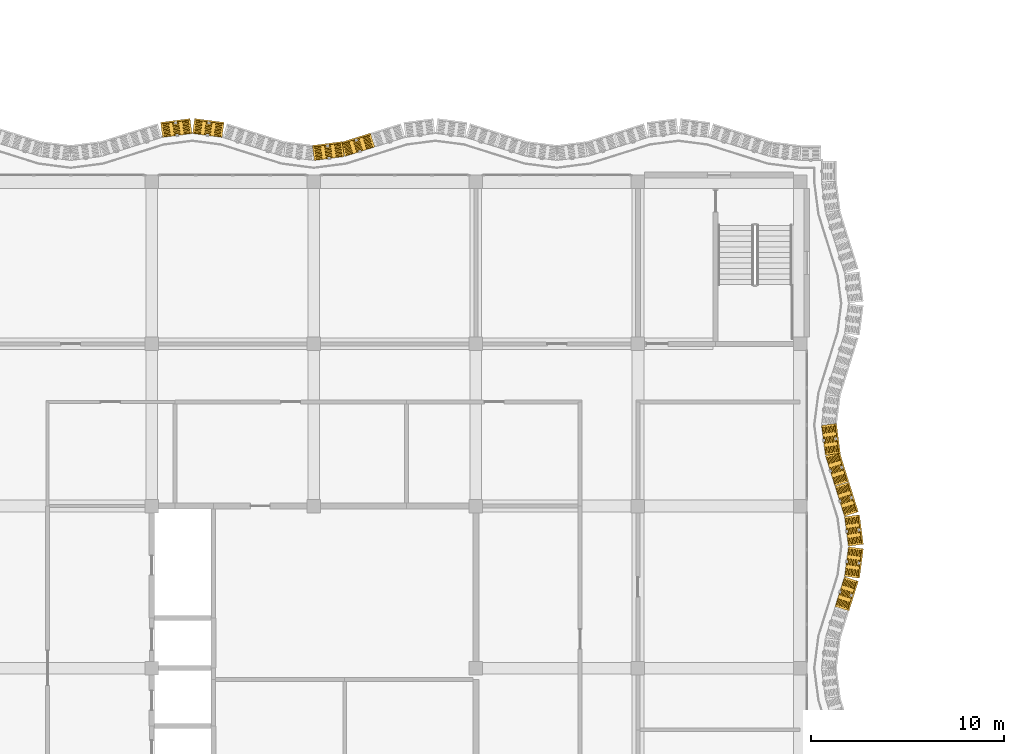
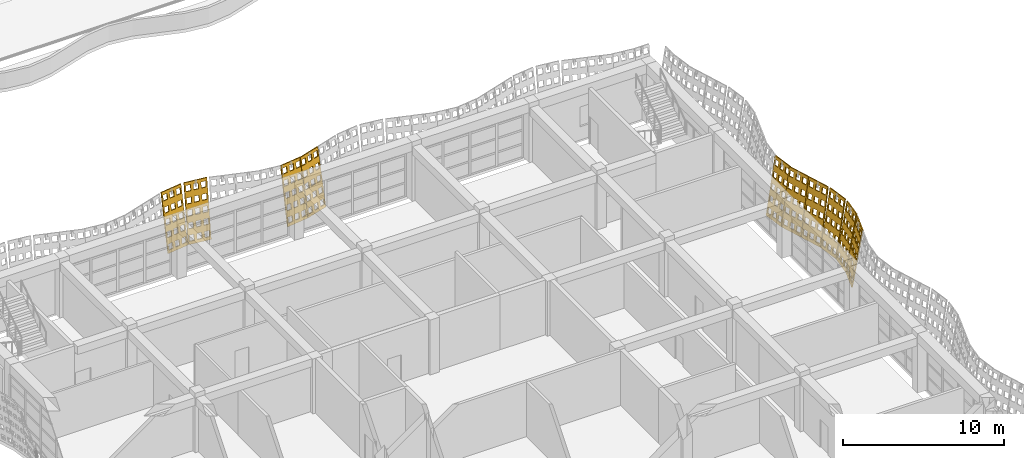
# One storey, part 160 of 163: 10 coverings.
"""IFC4 building model written with IfcOpenShell, lengths in metres."""

from ifc_helpers import new_model, si_unit, direction, frame, origin, place, context, subcontext, project, spatial, polyline, outline, extrude, material, layer, layer_set, type_object, element, save


model = new_model("IFC4")

# Units and contexts
model_context = context("Model", 3, precision=1e-05, world=origin(), true_north=direction((0.0, 1.0)))
body_context = subcontext(model_context, "Body", "Model", "MODEL_VIEW")
ifc_project = project(units=[si_unit("LENGTHUNIT", "METRE"), si_unit("AREAUNIT", "SQUARE_METRE"), si_unit("VOLUMEUNIT", "CUBIC_METRE"), si_unit("PLANEANGLEUNIT", "RADIAN"), si_unit("MASSUNIT", "GRAM", prefix="KILO")], contexts=[model_context])

# Site, building, storey
site_placement = place(None, origin())
site = spatial("IfcSite", under=ifc_project, at=site_placement, CompositionType="ELEMENT")
building_placement = place(site_placement, origin())
building = spatial("IfcBuilding", under=site, at=building_placement, Name="Rain Tree Exposition and Congress Centre", CompositionType="ELEMENT")
storey_placement = place(building_placement, frame((0.0, 0.0, 10.5)))
storey = spatial("IfcBuildingStorey", under=building, at=storey_placement, Name="L02", CompositionType="ELEMENT", Elevation=10.5)

# Coverings
ifc_material = material(Name="Perforated terracotta", Category="masonry")
ifc_layer = layer(ifc_material, 0.080078125)
ifc_layer_set = layer_set([ifc_layer], Name="Perforated terracotta")
covering_type = type_object("IfcCoveringType", Name="Terracotta screen 80", PredefinedType="CLADDING", material=ifc_layer_set)
covering_1_placement = place(storey_placement, frame((52.28759765625, 28.35009765625, 0.0), z_axis=(-0.942029390639, 0.295717964052, 0.158529217842), x_axis=(-0.29950542383, -0.954094597562, 0.0)))
element("IfcCovering", 1, at=covering_1_placement, inside=storey, type_object=covering_type, Name="wing/screen/L02/053", PredefinedType="CLADDING", context=body_context, shape_type="SweptSolid", body=[
    extrude(outline(polyline([(-1.62890625, 0.0), (-1.62890625, 4.291259765625), (-0.014892578125, 4.291259765625), (-0.014892578125, 0.0), (-1.62890625, 0.0)]), holes=[polyline([(-0.1171875, 0.221435546875), (-0.1171875, 0.63671875), (-0.45068359375, 0.63671875), (-0.45068359375, 0.221435546875), (-0.1171875, 0.221435546875)]), polyline([(-0.1171875, 1.07958984375), (-0.1171875, 1.4951171875), (-0.45068359375, 1.4951171875), (-0.45068359375, 1.07958984375), (-0.1171875, 1.07958984375)]), polyline([(-0.1171875, 1.93798828125), (-0.1171875, 2.353271484375), (-0.45068359375, 2.353271484375), (-0.45068359375, 1.93798828125), (-0.1171875, 1.93798828125)]), polyline([(-0.1171875, 2.796142578125), (-0.1171875, 3.21142578125), (-0.45068359375, 3.21142578125), (-0.45068359375, 2.796142578125), (-0.1171875, 2.796142578125)]), polyline([(-0.1171875, 3.654541015625), (-0.1171875, 4.06982421875), (-0.45068359375, 4.06982421875), (-0.45068359375, 3.654541015625), (-0.1171875, 3.654541015625)]), polyline([(-0.6552734375, 0.221435546875), (-0.6552734375, 0.63671875), (-0.98876953125, 0.63671875), (-0.98876953125, 0.221435546875), (-0.6552734375, 0.221435546875)]), polyline([(-0.6552734375, 1.07958984375), (-0.6552734375, 1.4951171875), (-0.98876953125, 1.4951171875), (-0.98876953125, 1.07958984375), (-0.6552734375, 1.07958984375)]), polyline([(-0.6552734375, 1.93798828125), (-0.6552734375, 2.353271484375), (-0.98876953125, 2.353271484375), (-0.98876953125, 1.93798828125), (-0.6552734375, 1.93798828125)]), polyline([(-0.6552734375, 2.796142578125), (-0.6552734375, 3.21142578125), (-0.98876953125, 3.21142578125), (-0.98876953125, 2.796142578125), (-0.6552734375, 2.796142578125)]), polyline([(-0.6552734375, 3.654541015625), (-0.6552734375, 4.06982421875), (-0.98876953125, 4.06982421875), (-0.98876953125, 3.654541015625), (-0.6552734375, 3.654541015625)]), polyline([(-1.193115234375, 0.221435546875), (-1.193115234375, 0.63671875), (-1.526611328125, 0.63671875), (-1.526611328125, 0.221435546875), (-1.193115234375, 0.221435546875)]), polyline([(-1.193115234375, 1.07958984375), (-1.193115234375, 1.4951171875), (-1.526611328125, 1.4951171875), (-1.526611328125, 1.07958984375), (-1.193115234375, 1.07958984375)]), polyline([(-1.193115234375, 1.93798828125), (-1.193115234375, 2.353271484375), (-1.526611328125, 2.353271484375), (-1.526611328125, 1.93798828125), (-1.193115234375, 1.93798828125)]), polyline([(-1.193115234375, 2.796142578125), (-1.193115234375, 3.21142578125), (-1.526611328125, 3.21142578125), (-1.526611328125, 2.796142578125), (-1.193115234375, 2.796142578125)]), polyline([(-1.193115234375, 3.654541015625), (-1.193115234375, 4.06982421875), (-1.526611328125, 4.06982421875), (-1.526611328125, 3.654541015625), (-1.193115234375, 3.654541015625)])]), origin(), (0.0, 0.0, 1.0), 0.080078125),
])
covering_2_placement = place(storey_placement, frame((52.78271484375, 29.925048828125, 0.0), z_axis=(-0.978036007662, 0.127967328105, 0.16452942185), x_axis=(-0.129735338481, -0.991548658387, 0.0)))
element("IfcCovering", 2, at=covering_2_placement, inside=storey, type_object=covering_type, Name="wing/screen/L02/054", PredefinedType="CLADDING", context=body_context, shape_type="SweptSolid", body=[
    extrude(outline(polyline([(-1.56298828125, 0.0), (-1.56298828125, 4.295166015625), (-0.02197265625, 4.295166015625), (-0.02197265625, 0.0), (-1.56298828125, 0.0)]), holes=[polyline([(-0.11962890625, 0.2216796875), (-0.11962890625, 0.63720703125), (-0.43798828125, 0.63720703125), (-0.43798828125, 0.2216796875), (-0.11962890625, 0.2216796875)]), polyline([(-0.11962890625, 1.080810546875), (-0.11962890625, 1.496337890625), (-0.43798828125, 1.496337890625), (-0.43798828125, 1.080810546875), (-0.11962890625, 1.080810546875)]), polyline([(-0.11962890625, 1.939697265625), (-0.11962890625, 2.35546875), (-0.43798828125, 2.35546875), (-0.43798828125, 1.939697265625), (-0.11962890625, 1.939697265625)]), polyline([(-0.11962890625, 2.798583984375), (-0.11962890625, 3.21435546875), (-0.43798828125, 3.21435546875), (-0.43798828125, 2.798583984375), (-0.11962890625, 2.798583984375)]), polyline([(-0.11962890625, 3.65771484375), (-0.11962890625, 4.073486328125), (-0.43798828125, 4.073486328125), (-0.43798828125, 3.65771484375), (-0.11962890625, 3.65771484375)]), polyline([(-0.63330078125, 0.2216796875), (-0.63330078125, 0.63720703125), (-0.95166015625, 0.63720703125), (-0.95166015625, 0.2216796875), (-0.63330078125, 0.2216796875)]), polyline([(-0.63330078125, 1.080810546875), (-0.63330078125, 1.496337890625), (-0.95166015625, 1.496337890625), (-0.95166015625, 1.080810546875), (-0.63330078125, 1.080810546875)]), polyline([(-0.63330078125, 1.939697265625), (-0.63330078125, 2.35546875), (-0.95166015625, 2.35546875), (-0.95166015625, 1.939697265625), (-0.63330078125, 1.939697265625)]), polyline([(-0.63330078125, 2.798583984375), (-0.63330078125, 3.21435546875), (-0.95166015625, 3.21435546875), (-0.95166015625, 2.798583984375), (-0.63330078125, 2.798583984375)]), polyline([(-0.63330078125, 3.65771484375), (-0.63330078125, 4.073486328125), (-0.95166015625, 4.073486328125), (-0.95166015625, 3.65771484375), (-0.63330078125, 3.65771484375)]), polyline([(-1.146728515625, 0.2216796875), (-1.146728515625, 0.63720703125), (-1.46533203125, 0.63720703125), (-1.46533203125, 0.2216796875), (-1.146728515625, 0.2216796875)]), polyline([(-1.146728515625, 1.080810546875), (-1.146728515625, 1.496337890625), (-1.46533203125, 1.496337890625), (-1.46533203125, 1.080810546875), (-1.146728515625, 1.080810546875)]), polyline([(-1.146728515625, 1.939697265625), (-1.146728515625, 2.35546875), (-1.46533203125, 2.35546875), (-1.46533203125, 1.939697265625), (-1.146728515625, 1.939697265625)]), polyline([(-1.146728515625, 2.798583984375), (-1.146728515625, 3.21435546875), (-1.46533203125, 3.21435546875), (-1.46533203125, 2.798583984375), (-1.146728515625, 2.798583984375)]), polyline([(-1.146728515625, 3.65771484375), (-1.146728515625, 4.073486328125), (-1.46533203125, 4.073486328125), (-1.46533203125, 3.65771484375), (-1.146728515625, 3.65771484375)])]), origin(), (0.0, 0.0, 1.0), 0.080078125),
])
covering_3_placement = place(storey_placement, frame((52.987548828125, 31.5, 0.0), z_axis=(-0.978036007662, -0.127967328105, 0.16452942185), x_axis=(0.129735338481, -0.991548658387, 0.0)))
element("IfcCovering", 3, at=covering_3_placement, inside=storey, type_object=covering_type, Name="wing/screen/L02/055", PredefinedType="CLADDING", context=body_context, shape_type="SweptSolid", body=[
    extrude(outline(polyline([(-1.56640625, 0.0), (-1.56640625, 4.295166015625), (-0.025390625, 4.295166015625), (-0.025390625, 0.0), (-1.56640625, 0.0)]), holes=[polyline([(-0.123046875, 0.2216796875), (-0.123046875, 0.63720703125), (-0.44140625, 0.63720703125), (-0.44140625, 0.2216796875), (-0.123046875, 0.2216796875)]), polyline([(-0.123046875, 1.080810546875), (-0.123046875, 1.496337890625), (-0.44140625, 1.496337890625), (-0.44140625, 1.080810546875), (-0.123046875, 1.080810546875)]), polyline([(-0.123046875, 1.939697265625), (-0.123046875, 2.35546875), (-0.44140625, 2.35546875), (-0.44140625, 1.939697265625), (-0.123046875, 1.939697265625)]), polyline([(-0.123046875, 2.798583984375), (-0.123046875, 3.21435546875), (-0.44140625, 3.21435546875), (-0.44140625, 2.798583984375), (-0.123046875, 2.798583984375)]), polyline([(-0.123046875, 3.65771484375), (-0.123046875, 4.073486328125), (-0.44140625, 4.073486328125), (-0.44140625, 3.65771484375), (-0.123046875, 3.65771484375)]), polyline([(-0.63671875, 0.2216796875), (-0.63671875, 0.63720703125), (-0.955078125, 0.63720703125), (-0.955078125, 0.2216796875), (-0.63671875, 0.2216796875)]), polyline([(-0.63671875, 1.080810546875), (-0.63671875, 1.496337890625), (-0.955078125, 1.496337890625), (-0.955078125, 1.080810546875), (-0.63671875, 1.080810546875)]), polyline([(-0.63671875, 1.939697265625), (-0.63671875, 2.35546875), (-0.955078125, 2.35546875), (-0.955078125, 1.939697265625), (-0.63671875, 1.939697265625)]), polyline([(-0.63671875, 2.798583984375), (-0.63671875, 3.21435546875), (-0.955078125, 3.21435546875), (-0.955078125, 2.798583984375), (-0.63671875, 2.798583984375)]), polyline([(-0.63671875, 3.65771484375), (-0.63671875, 4.073486328125), (-0.955078125, 4.073486328125), (-0.955078125, 3.65771484375), (-0.63671875, 3.65771484375)]), polyline([(-1.150146484375, 0.2216796875), (-1.150146484375, 0.63720703125), (-1.46875, 0.63720703125), (-1.46875, 0.2216796875), (-1.150146484375, 0.2216796875)]), polyline([(-1.150146484375, 1.080810546875), (-1.150146484375, 1.496337890625), (-1.46875, 1.496337890625), (-1.46875, 1.080810546875), (-1.150146484375, 1.080810546875)]), polyline([(-1.150146484375, 1.939697265625), (-1.150146484375, 2.35546875), (-1.46875, 2.35546875), (-1.46875, 1.939697265625), (-1.150146484375, 1.939697265625)]), polyline([(-1.150146484375, 2.798583984375), (-1.150146484375, 3.21435546875), (-1.46875, 3.21435546875), (-1.46875, 2.798583984375), (-1.150146484375, 2.798583984375)]), polyline([(-1.150146484375, 3.65771484375), (-1.150146484375, 4.073486328125), (-1.46875, 4.073486328125), (-1.46875, 3.65771484375), (-1.150146484375, 3.65771484375)])]), origin(), (0.0, 0.0, 1.0), 0.080078125),
])
covering_4_placement = place(storey_placement, frame((52.78271484375, 33.074951171875, 0.0), z_axis=(-0.942029390639, -0.295717964052, 0.158529217842), x_axis=(0.29950542383, -0.954094597562, 0.0)))
element("IfcCovering", 4, at=covering_4_placement, inside=storey, type_object=covering_type, Name="wing/screen/L02/056", PredefinedType="CLADDING", context=body_context, shape_type="SweptSolid", body=[
    extrude(outline(polyline([(-1.635986328125, 0.0), (-1.635986328125, 4.291259765625), (-0.02197265625, 4.291259765625), (-0.02197265625, 0.0), (-1.635986328125, 0.0)]), holes=[polyline([(-0.124267578125, 0.221435546875), (-0.124267578125, 0.63671875), (-0.457763671875, 0.63671875), (-0.457763671875, 0.221435546875), (-0.124267578125, 0.221435546875)]), polyline([(-0.124267578125, 1.07958984375), (-0.124267578125, 1.4951171875), (-0.457763671875, 1.4951171875), (-0.457763671875, 1.07958984375), (-0.124267578125, 1.07958984375)]), polyline([(-0.124267578125, 1.93798828125), (-0.124267578125, 2.353271484375), (-0.457763671875, 2.353271484375), (-0.457763671875, 1.93798828125), (-0.124267578125, 1.93798828125)]), polyline([(-0.124267578125, 2.796142578125), (-0.124267578125, 3.21142578125), (-0.457763671875, 3.21142578125), (-0.457763671875, 2.796142578125), (-0.124267578125, 2.796142578125)]), polyline([(-0.124267578125, 3.654541015625), (-0.124267578125, 4.06982421875), (-0.457763671875, 4.06982421875), (-0.457763671875, 3.654541015625), (-0.124267578125, 3.654541015625)]), polyline([(-0.662109375, 0.221435546875), (-0.662109375, 0.63671875), (-0.995849609375, 0.63671875), (-0.995849609375, 0.221435546875), (-0.662109375, 0.221435546875)]), polyline([(-0.662109375, 1.07958984375), (-0.662109375, 1.4951171875), (-0.995849609375, 1.4951171875), (-0.995849609375, 1.07958984375), (-0.662109375, 1.07958984375)]), polyline([(-0.662109375, 1.93798828125), (-0.662109375, 2.353271484375), (-0.995849609375, 2.353271484375), (-0.995849609375, 1.93798828125), (-0.662109375, 1.93798828125)]), polyline([(-0.662109375, 2.796142578125), (-0.662109375, 3.21142578125), (-0.995849609375, 3.21142578125), (-0.995849609375, 2.796142578125), (-0.662109375, 2.796142578125)]), polyline([(-0.662109375, 3.654541015625), (-0.662109375, 4.06982421875), (-0.995849609375, 4.06982421875), (-0.995849609375, 3.654541015625), (-0.662109375, 3.654541015625)]), polyline([(-1.2001953125, 0.221435546875), (-1.2001953125, 0.63671875), (-1.53369140625, 0.63671875), (-1.53369140625, 0.221435546875), (-1.2001953125, 0.221435546875)]), polyline([(-1.2001953125, 1.07958984375), (-1.2001953125, 1.4951171875), (-1.53369140625, 1.4951171875), (-1.53369140625, 1.07958984375), (-1.2001953125, 1.07958984375)]), polyline([(-1.2001953125, 1.93798828125), (-1.2001953125, 2.353271484375), (-1.53369140625, 2.353271484375), (-1.53369140625, 1.93798828125), (-1.2001953125, 1.93798828125)]), polyline([(-1.2001953125, 2.796142578125), (-1.2001953125, 3.21142578125), (-1.53369140625, 3.21142578125), (-1.53369140625, 2.796142578125), (-1.2001953125, 2.796142578125)]), polyline([(-1.2001953125, 3.654541015625), (-1.2001953125, 4.06982421875), (-1.53369140625, 4.06982421875), (-1.53369140625, 3.654541015625), (-1.2001953125, 3.654541015625)])]), origin(), (0.0, 0.0, 1.0), 0.080078125),
])
covering_5_placement = place(storey_placement, frame((52.28759765625, 34.64990234375, 0.0), z_axis=(-0.942029390639, -0.295717964052, 0.158529217842), x_axis=(0.29950542383, -0.954094597562, 0.0)))
element("IfcCovering", 5, at=covering_5_placement, inside=storey, type_object=covering_type, Name="wing/screen/L02/057", PredefinedType="CLADDING", context=body_context, shape_type="SweptSolid", body=[
    extrude(outline(polyline([(-1.635986328125, 0.0), (-1.635986328125, 4.291259765625), (-0.014892578125, 4.291259765625), (-0.014892578125, 0.0), (-1.635986328125, 0.0)]), holes=[polyline([(-0.11767578125, 0.221435546875), (-0.11767578125, 0.63671875), (-0.45263671875, 0.63671875), (-0.45263671875, 0.221435546875), (-0.11767578125, 0.221435546875)]), polyline([(-0.11767578125, 1.07958984375), (-0.11767578125, 1.4951171875), (-0.45263671875, 1.4951171875), (-0.45263671875, 1.07958984375), (-0.11767578125, 1.07958984375)]), polyline([(-0.11767578125, 1.93798828125), (-0.11767578125, 2.353271484375), (-0.45263671875, 2.353271484375), (-0.45263671875, 1.93798828125), (-0.11767578125, 1.93798828125)]), polyline([(-0.11767578125, 2.796142578125), (-0.11767578125, 3.21142578125), (-0.45263671875, 3.21142578125), (-0.45263671875, 2.796142578125), (-0.11767578125, 2.796142578125)]), polyline([(-0.11767578125, 3.654541015625), (-0.11767578125, 4.06982421875), (-0.45263671875, 4.06982421875), (-0.45263671875, 3.654541015625), (-0.11767578125, 3.654541015625)]), polyline([(-0.657958984375, 0.221435546875), (-0.657958984375, 0.63671875), (-0.992919921875, 0.63671875), (-0.992919921875, 0.221435546875), (-0.657958984375, 0.221435546875)]), polyline([(-0.657958984375, 1.07958984375), (-0.657958984375, 1.4951171875), (-0.992919921875, 1.4951171875), (-0.992919921875, 1.07958984375), (-0.657958984375, 1.07958984375)]), polyline([(-0.657958984375, 1.93798828125), (-0.657958984375, 2.353271484375), (-0.992919921875, 2.353271484375), (-0.992919921875, 1.93798828125), (-0.657958984375, 1.93798828125)]), polyline([(-0.657958984375, 2.796142578125), (-0.657958984375, 3.21142578125), (-0.992919921875, 3.21142578125), (-0.992919921875, 2.796142578125), (-0.657958984375, 2.796142578125)]), polyline([(-0.657958984375, 3.654541015625), (-0.657958984375, 4.06982421875), (-0.992919921875, 4.06982421875), (-0.992919921875, 3.654541015625), (-0.657958984375, 3.654541015625)]), polyline([(-1.1982421875, 0.221435546875), (-1.1982421875, 0.63671875), (-1.533203125, 0.63671875), (-1.533203125, 0.221435546875), (-1.1982421875, 0.221435546875)]), polyline([(-1.1982421875, 1.07958984375), (-1.1982421875, 1.4951171875), (-1.533203125, 1.4951171875), (-1.533203125, 1.07958984375), (-1.1982421875, 1.07958984375)]), polyline([(-1.1982421875, 1.93798828125), (-1.1982421875, 2.353271484375), (-1.533203125, 2.353271484375), (-1.533203125, 1.93798828125), (-1.1982421875, 1.93798828125)]), polyline([(-1.1982421875, 2.796142578125), (-1.1982421875, 3.21142578125), (-1.533203125, 3.21142578125), (-1.533203125, 2.796142578125), (-1.1982421875, 2.796142578125)]), polyline([(-1.1982421875, 3.654541015625), (-1.1982421875, 4.06982421875), (-1.533203125, 4.06982421875), (-1.533203125, 3.654541015625), (-1.1982421875, 3.654541015625)])]), origin(), (0.0, 0.0, 1.0), 0.080078125),
])
covering_6_placement = place(storey_placement, frame((51.79248046875, 36.22509765625, 0.0), z_axis=(-0.9779030419, -0.128349774249, 0.165021138321), x_axis=(0.130133906157, -0.991496427865, 0.0)))
element("IfcCovering", 6, at=covering_6_placement, inside=storey, type_object=covering_type, Name="wing/screen/L02/058", PredefinedType="CLADDING", context=body_context, shape_type="SweptSolid", body=[
    extrude(outline(polyline([(-1.5732421875, 0.0), (-1.5732421875, 4.295166015625), (-0.014892578125, 4.295166015625), (-0.014892578125, 0.0), (-1.5732421875, 0.0)]), holes=[polyline([(-0.11376953125, 0.2216796875), (-0.11376953125, 0.63720703125), (-0.435791015625, 0.63720703125), (-0.435791015625, 0.2216796875), (-0.11376953125, 0.2216796875)]), polyline([(-0.11376953125, 1.080810546875), (-0.11376953125, 1.496337890625), (-0.435791015625, 1.496337890625), (-0.435791015625, 1.080810546875), (-0.11376953125, 1.080810546875)]), polyline([(-0.11376953125, 1.939697265625), (-0.11376953125, 2.35546875), (-0.435791015625, 2.35546875), (-0.435791015625, 1.939697265625), (-0.11376953125, 1.939697265625)]), polyline([(-0.11376953125, 2.798583984375), (-0.11376953125, 3.21435546875), (-0.435791015625, 3.21435546875), (-0.435791015625, 2.798583984375), (-0.11376953125, 2.798583984375)]), polyline([(-0.11376953125, 3.65771484375), (-0.11376953125, 4.073486328125), (-0.435791015625, 4.073486328125), (-0.435791015625, 3.65771484375), (-0.11376953125, 3.65771484375)]), polyline([(-0.633056640625, 0.2216796875), (-0.633056640625, 0.63720703125), (-0.955078125, 0.63720703125), (-0.955078125, 0.2216796875), (-0.633056640625, 0.2216796875)]), polyline([(-0.633056640625, 1.080810546875), (-0.633056640625, 1.496337890625), (-0.955078125, 1.496337890625), (-0.955078125, 1.080810546875), (-0.633056640625, 1.080810546875)]), polyline([(-0.633056640625, 1.939697265625), (-0.633056640625, 2.35546875), (-0.955078125, 2.35546875), (-0.955078125, 1.939697265625), (-0.633056640625, 1.939697265625)]), polyline([(-0.633056640625, 2.798583984375), (-0.633056640625, 3.21435546875), (-0.955078125, 3.21435546875), (-0.955078125, 2.798583984375), (-0.633056640625, 2.798583984375)]), polyline([(-0.633056640625, 3.65771484375), (-0.633056640625, 4.073486328125), (-0.955078125, 4.073486328125), (-0.955078125, 3.65771484375), (-0.633056640625, 3.65771484375)]), polyline([(-1.152587890625, 0.2216796875), (-1.152587890625, 0.63720703125), (-1.474609375, 0.63720703125), (-1.474609375, 0.2216796875), (-1.152587890625, 0.2216796875)]), polyline([(-1.152587890625, 1.080810546875), (-1.152587890625, 1.496337890625), (-1.474609375, 1.496337890625), (-1.474609375, 1.080810546875), (-1.152587890625, 1.080810546875)]), polyline([(-1.152587890625, 1.939697265625), (-1.152587890625, 2.35546875), (-1.474609375, 2.35546875), (-1.474609375, 1.939697265625), (-1.152587890625, 1.939697265625)]), polyline([(-1.152587890625, 2.798583984375), (-1.152587890625, 3.21435546875), (-1.474609375, 3.21435546875), (-1.474609375, 2.798583984375), (-1.152587890625, 2.798583984375)]), polyline([(-1.152587890625, 3.65771484375), (-1.152587890625, 4.073486328125), (-1.474609375, 4.073486328125), (-1.474609375, 3.65771484375), (-1.152587890625, 3.65771484375)])]), origin(), (0.0, 0.0, 1.0), 0.079833984375),
])
covering_7_placement = place(storey_placement, frame((28.35009765625, 52.28759765625, 0.0), z_axis=(0.295717964052, -0.942029390639, 0.158529217842), x_axis=(0.954094597562, 0.29950542383, 0.0)))
element("IfcCovering", 7, at=covering_7_placement, inside=storey, type_object=covering_type, Name="wing/screen/L02/083", PredefinedType="CLADDING", context=body_context, shape_type="SweptSolid", body=[
    extrude(outline(polyline([(-1.635986328125, 0.0), (-1.635986328125, 4.291259765625), (-0.014892578125, 4.291259765625), (-0.014892578125, 0.0), (-1.635986328125, 0.0)]), holes=[polyline([(-0.11767578125, 0.221435546875), (-0.11767578125, 0.63671875), (-0.45263671875, 0.63671875), (-0.45263671875, 0.221435546875), (-0.11767578125, 0.221435546875)]), polyline([(-0.11767578125, 1.07958984375), (-0.11767578125, 1.4951171875), (-0.45263671875, 1.4951171875), (-0.45263671875, 1.07958984375), (-0.11767578125, 1.07958984375)]), polyline([(-0.11767578125, 1.93798828125), (-0.11767578125, 2.353271484375), (-0.45263671875, 2.353271484375), (-0.45263671875, 1.93798828125), (-0.11767578125, 1.93798828125)]), polyline([(-0.11767578125, 2.796142578125), (-0.11767578125, 3.21142578125), (-0.45263671875, 3.21142578125), (-0.45263671875, 2.796142578125), (-0.11767578125, 2.796142578125)]), polyline([(-0.11767578125, 3.654541015625), (-0.11767578125, 4.06982421875), (-0.45263671875, 4.06982421875), (-0.45263671875, 3.654541015625), (-0.11767578125, 3.654541015625)]), polyline([(-0.657958984375, 0.221435546875), (-0.657958984375, 0.63671875), (-0.992919921875, 0.63671875), (-0.992919921875, 0.221435546875), (-0.657958984375, 0.221435546875)]), polyline([(-0.657958984375, 1.07958984375), (-0.657958984375, 1.4951171875), (-0.992919921875, 1.4951171875), (-0.992919921875, 1.07958984375), (-0.657958984375, 1.07958984375)]), polyline([(-0.657958984375, 1.93798828125), (-0.657958984375, 2.353271484375), (-0.992919921875, 2.353271484375), (-0.992919921875, 1.93798828125), (-0.657958984375, 1.93798828125)]), polyline([(-0.657958984375, 2.796142578125), (-0.657958984375, 3.21142578125), (-0.992919921875, 3.21142578125), (-0.992919921875, 2.796142578125), (-0.657958984375, 2.796142578125)]), polyline([(-0.657958984375, 3.654541015625), (-0.657958984375, 4.06982421875), (-0.992919921875, 4.06982421875), (-0.992919921875, 3.654541015625), (-0.657958984375, 3.654541015625)]), polyline([(-1.1982421875, 0.221435546875), (-1.1982421875, 0.63671875), (-1.533203125, 0.63671875), (-1.533203125, 0.221435546875), (-1.1982421875, 0.221435546875)]), polyline([(-1.1982421875, 1.07958984375), (-1.1982421875, 1.4951171875), (-1.533203125, 1.4951171875), (-1.533203125, 1.07958984375), (-1.1982421875, 1.07958984375)]), polyline([(-1.1982421875, 1.93798828125), (-1.1982421875, 2.353271484375), (-1.533203125, 2.353271484375), (-1.533203125, 1.93798828125), (-1.1982421875, 1.93798828125)]), polyline([(-1.1982421875, 2.796142578125), (-1.1982421875, 3.21142578125), (-1.533203125, 3.21142578125), (-1.533203125, 2.796142578125), (-1.1982421875, 2.796142578125)]), polyline([(-1.1982421875, 3.654541015625), (-1.1982421875, 4.06982421875), (-1.533203125, 4.06982421875), (-1.533203125, 3.654541015625), (-1.1982421875, 3.654541015625)])]), origin(), (0.0, 0.0, 1.0), 0.080078125),
])
covering_8_placement = place(storey_placement, frame((26.77490234375, 51.79248046875, 0.0), z_axis=(0.128349774249, -0.9779030419, 0.165021138321), x_axis=(0.991496427865, 0.130133906157, 0.0)))
element("IfcCovering", 8, at=covering_8_placement, inside=storey, type_object=covering_type, Name="wing/screen/L02/084", PredefinedType="CLADDING", context=body_context, shape_type="SweptSolid", body=[
    extrude(outline(polyline([(-1.5732421875, 0.0), (-1.5732421875, 4.295166015625), (-0.014892578125, 4.295166015625), (-0.014892578125, 0.0), (-1.5732421875, 0.0)]), holes=[polyline([(-0.11376953125, 0.2216796875), (-0.11376953125, 0.63720703125), (-0.435791015625, 0.63720703125), (-0.435791015625, 0.2216796875), (-0.11376953125, 0.2216796875)]), polyline([(-0.11376953125, 1.080810546875), (-0.11376953125, 1.496337890625), (-0.435791015625, 1.496337890625), (-0.435791015625, 1.080810546875), (-0.11376953125, 1.080810546875)]), polyline([(-0.11376953125, 1.939697265625), (-0.11376953125, 2.35546875), (-0.435791015625, 2.35546875), (-0.435791015625, 1.939697265625), (-0.11376953125, 1.939697265625)]), polyline([(-0.11376953125, 2.798583984375), (-0.11376953125, 3.21435546875), (-0.435791015625, 3.21435546875), (-0.435791015625, 2.798583984375), (-0.11376953125, 2.798583984375)]), polyline([(-0.11376953125, 3.65771484375), (-0.11376953125, 4.073486328125), (-0.435791015625, 4.073486328125), (-0.435791015625, 3.65771484375), (-0.11376953125, 3.65771484375)]), polyline([(-0.633056640625, 0.2216796875), (-0.633056640625, 0.63720703125), (-0.955078125, 0.63720703125), (-0.955078125, 0.2216796875), (-0.633056640625, 0.2216796875)]), polyline([(-0.633056640625, 1.080810546875), (-0.633056640625, 1.496337890625), (-0.955078125, 1.496337890625), (-0.955078125, 1.080810546875), (-0.633056640625, 1.080810546875)]), polyline([(-0.633056640625, 1.939697265625), (-0.633056640625, 2.35546875), (-0.955078125, 2.35546875), (-0.955078125, 1.939697265625), (-0.633056640625, 1.939697265625)]), polyline([(-0.633056640625, 2.798583984375), (-0.633056640625, 3.21435546875), (-0.955078125, 3.21435546875), (-0.955078125, 2.798583984375), (-0.633056640625, 2.798583984375)]), polyline([(-0.633056640625, 3.65771484375), (-0.633056640625, 4.073486328125), (-0.955078125, 4.073486328125), (-0.955078125, 3.65771484375), (-0.633056640625, 3.65771484375)]), polyline([(-1.152587890625, 0.2216796875), (-1.152587890625, 0.63720703125), (-1.474609375, 0.63720703125), (-1.474609375, 0.2216796875), (-1.152587890625, 0.2216796875)]), polyline([(-1.152587890625, 1.080810546875), (-1.152587890625, 1.496337890625), (-1.474609375, 1.496337890625), (-1.474609375, 1.080810546875), (-1.152587890625, 1.080810546875)]), polyline([(-1.152587890625, 1.939697265625), (-1.152587890625, 2.35546875), (-1.474609375, 2.35546875), (-1.474609375, 1.939697265625), (-1.152587890625, 1.939697265625)]), polyline([(-1.152587890625, 2.798583984375), (-1.152587890625, 3.21435546875), (-1.474609375, 3.21435546875), (-1.474609375, 2.798583984375), (-1.152587890625, 2.798583984375)]), polyline([(-1.152587890625, 3.65771484375), (-1.152587890625, 4.073486328125), (-1.474609375, 4.073486328125), (-1.474609375, 3.65771484375), (-1.152587890625, 3.65771484375)])]), origin(), (0.0, 0.0, 1.0), 0.079833984375),
])
covering_9_placement = place(storey_placement, frame((20.47509765625, 52.78271484375, 0.0), z_axis=(-0.127967328105, -0.978036007662, 0.16452942185), x_axis=(0.991548658387, -0.129735338481, 0.0)))
element("IfcCovering", 9, at=covering_9_placement, inside=storey, type_object=covering_type, Name="wing/screen/L02/088", PredefinedType="CLADDING", context=body_context, shape_type="SweptSolid", body=[
    extrude(outline(polyline([(-1.56298828125, 0.0), (-1.56298828125, 4.295166015625), (-0.02197265625, 4.295166015625), (-0.02197265625, 0.0), (-1.56298828125, 0.0)]), holes=[polyline([(-0.11962890625, 0.2216796875), (-0.11962890625, 0.63720703125), (-0.43798828125, 0.63720703125), (-0.43798828125, 0.2216796875), (-0.11962890625, 0.2216796875)]), polyline([(-0.11962890625, 1.080810546875), (-0.11962890625, 1.496337890625), (-0.43798828125, 1.496337890625), (-0.43798828125, 1.080810546875), (-0.11962890625, 1.080810546875)]), polyline([(-0.11962890625, 1.939697265625), (-0.11962890625, 2.35546875), (-0.43798828125, 2.35546875), (-0.43798828125, 1.939697265625), (-0.11962890625, 1.939697265625)]), polyline([(-0.11962890625, 2.798583984375), (-0.11962890625, 3.21435546875), (-0.43798828125, 3.21435546875), (-0.43798828125, 2.798583984375), (-0.11962890625, 2.798583984375)]), polyline([(-0.11962890625, 3.65771484375), (-0.11962890625, 4.073486328125), (-0.43798828125, 4.073486328125), (-0.43798828125, 3.65771484375), (-0.11962890625, 3.65771484375)]), polyline([(-0.63330078125, 0.2216796875), (-0.63330078125, 0.63720703125), (-0.95166015625, 0.63720703125), (-0.95166015625, 0.2216796875), (-0.63330078125, 0.2216796875)]), polyline([(-0.63330078125, 1.080810546875), (-0.63330078125, 1.496337890625), (-0.95166015625, 1.496337890625), (-0.95166015625, 1.080810546875), (-0.63330078125, 1.080810546875)]), polyline([(-0.63330078125, 1.939697265625), (-0.63330078125, 2.35546875), (-0.95166015625, 2.35546875), (-0.95166015625, 1.939697265625), (-0.63330078125, 1.939697265625)]), polyline([(-0.63330078125, 2.798583984375), (-0.63330078125, 3.21435546875), (-0.95166015625, 3.21435546875), (-0.95166015625, 2.798583984375), (-0.63330078125, 2.798583984375)]), polyline([(-0.63330078125, 3.65771484375), (-0.63330078125, 4.073486328125), (-0.95166015625, 4.073486328125), (-0.95166015625, 3.65771484375), (-0.63330078125, 3.65771484375)]), polyline([(-1.146728515625, 0.2216796875), (-1.146728515625, 0.63720703125), (-1.46533203125, 0.63720703125), (-1.46533203125, 0.2216796875), (-1.146728515625, 0.2216796875)]), polyline([(-1.146728515625, 1.080810546875), (-1.146728515625, 1.496337890625), (-1.46533203125, 1.496337890625), (-1.46533203125, 1.080810546875), (-1.146728515625, 1.080810546875)]), polyline([(-1.146728515625, 1.939697265625), (-1.146728515625, 2.35546875), (-1.46533203125, 2.35546875), (-1.46533203125, 1.939697265625), (-1.146728515625, 1.939697265625)]), polyline([(-1.146728515625, 2.798583984375), (-1.146728515625, 3.21435546875), (-1.46533203125, 3.21435546875), (-1.46533203125, 2.798583984375), (-1.146728515625, 2.798583984375)]), polyline([(-1.146728515625, 3.65771484375), (-1.146728515625, 4.073486328125), (-1.46533203125, 4.073486328125), (-1.46533203125, 3.65771484375), (-1.146728515625, 3.65771484375)])]), origin(), (0.0, 0.0, 1.0), 0.080078125),
])
covering_10_placement = place(storey_placement, frame((18.89990234375, 52.987548828125, 0.0), z_axis=(0.127967328105, -0.978036007662, 0.16452942185), x_axis=(0.991548658387, 0.129735338481, 0.0)))
element("IfcCovering", 10, at=covering_10_placement, inside=storey, type_object=covering_type, Name="wing/screen/L02/089", PredefinedType="CLADDING", context=body_context, shape_type="SweptSolid", body=[
    extrude(outline(polyline([(-1.56640625, 0.0), (-1.56640625, 4.295166015625), (-0.025390625, 4.295166015625), (-0.025390625, 0.0), (-1.56640625, 0.0)]), holes=[polyline([(-0.123046875, 0.2216796875), (-0.123046875, 0.63720703125), (-0.44140625, 0.63720703125), (-0.44140625, 0.2216796875), (-0.123046875, 0.2216796875)]), polyline([(-0.123046875, 1.080810546875), (-0.123046875, 1.496337890625), (-0.44140625, 1.496337890625), (-0.44140625, 1.080810546875), (-0.123046875, 1.080810546875)]), polyline([(-0.123046875, 1.939697265625), (-0.123046875, 2.35546875), (-0.44140625, 2.35546875), (-0.44140625, 1.939697265625), (-0.123046875, 1.939697265625)]), polyline([(-0.123046875, 2.798583984375), (-0.123046875, 3.21435546875), (-0.44140625, 3.21435546875), (-0.44140625, 2.798583984375), (-0.123046875, 2.798583984375)]), polyline([(-0.123046875, 3.65771484375), (-0.123046875, 4.073486328125), (-0.44140625, 4.073486328125), (-0.44140625, 3.65771484375), (-0.123046875, 3.65771484375)]), polyline([(-0.63671875, 0.2216796875), (-0.63671875, 0.63720703125), (-0.955078125, 0.63720703125), (-0.955078125, 0.2216796875), (-0.63671875, 0.2216796875)]), polyline([(-0.63671875, 1.080810546875), (-0.63671875, 1.496337890625), (-0.955078125, 1.496337890625), (-0.955078125, 1.080810546875), (-0.63671875, 1.080810546875)]), polyline([(-0.63671875, 1.939697265625), (-0.63671875, 2.35546875), (-0.955078125, 2.35546875), (-0.955078125, 1.939697265625), (-0.63671875, 1.939697265625)]), polyline([(-0.63671875, 2.798583984375), (-0.63671875, 3.21435546875), (-0.955078125, 3.21435546875), (-0.955078125, 2.798583984375), (-0.63671875, 2.798583984375)]), polyline([(-0.63671875, 3.65771484375), (-0.63671875, 4.073486328125), (-0.955078125, 4.073486328125), (-0.955078125, 3.65771484375), (-0.63671875, 3.65771484375)]), polyline([(-1.150146484375, 0.2216796875), (-1.150146484375, 0.63720703125), (-1.46875, 0.63720703125), (-1.46875, 0.2216796875), (-1.150146484375, 0.2216796875)]), polyline([(-1.150146484375, 1.080810546875), (-1.150146484375, 1.496337890625), (-1.46875, 1.496337890625), (-1.46875, 1.080810546875), (-1.150146484375, 1.080810546875)]), polyline([(-1.150146484375, 1.939697265625), (-1.150146484375, 2.35546875), (-1.46875, 2.35546875), (-1.46875, 1.939697265625), (-1.150146484375, 1.939697265625)]), polyline([(-1.150146484375, 2.798583984375), (-1.150146484375, 3.21435546875), (-1.46875, 3.21435546875), (-1.46875, 2.798583984375), (-1.150146484375, 2.798583984375)]), polyline([(-1.150146484375, 3.65771484375), (-1.150146484375, 4.073486328125), (-1.46875, 4.073486328125), (-1.46875, 3.65771484375), (-1.150146484375, 3.65771484375)])]), origin(), (0.0, 0.0, 1.0), 0.080078125),
])

save(model, "model.ifc")
